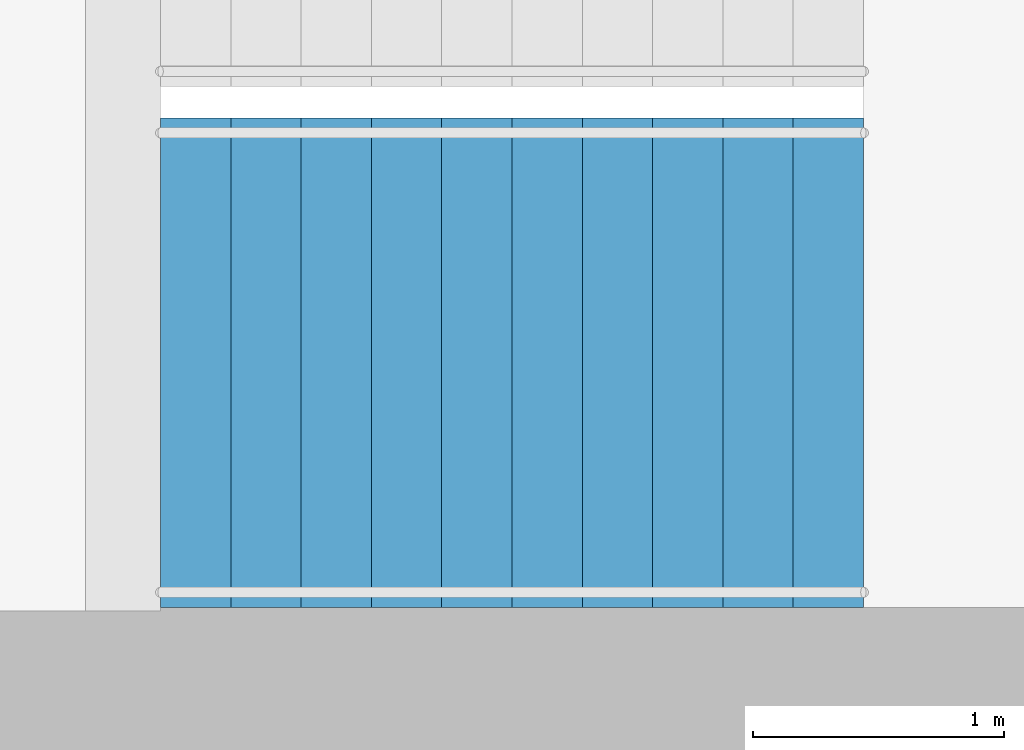
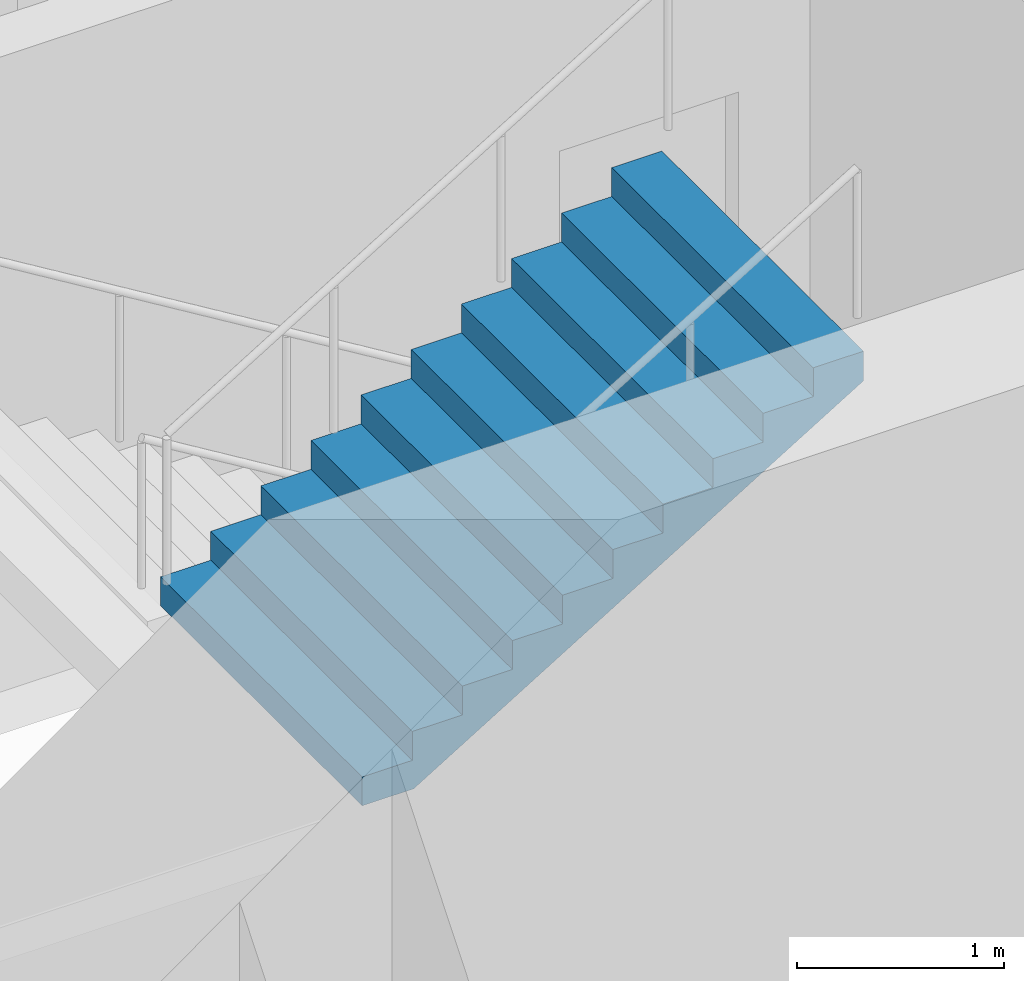
# One storey, part 20 of 22: 1 stair flight, 1 element without a shape of its own.
"""IFC4 building model written with IfcOpenShell, lengths in metres."""

import ifcopenshell
import ifcopenshell.guid

model = None  # the IFC model being written
_history = None  # IfcOwnerHistory: only IFC2X3 demands one
_inside = {}  # id of a spatial element -> (the spatial element, [elements in it])
_under = {}  # id of a project, library or spatial element -> (it, [spatial elements below it])
_declared = {}  # id of a project -> (the project, [libraries it declares])
_typed = {}  # id of a type object -> (the type object, [elements of that type])
_made_of = {}  # id of a material, layer set ... -> (it, [elements and type objects made of it])


def new_model(schema):
    """Start an empty IFC model of exactly this schema.

    Asked for "IFC4X3", IfcOpenShell would pick the latest addendum, in which some entities
    have other attributes; the version numbers below select the first issue.
    IFC2X3 requires an IfcOwnerHistory on every rooted entity: one is made here for all.
    """
    global model, _history
    if schema == "IFC4X3":
        model = ifcopenshell.file(schema_version=(4, 3, 0, 0))
    else:
        model = ifcopenshell.file(schema=schema)
    _inside.clear()
    _under.clear()
    _declared.clear()
    _typed.clear()
    _made_of.clear()
    _history = None
    if model.schema == "IFC2X3":
        org = make("IfcOrganization", Name="unknown")
        user = make(
            "IfcPersonAndOrganization",
            ThePerson=make("IfcPerson", FamilyName="unknown"),
            TheOrganization=org,
        )
        app = make(
            "IfcApplication",
            ApplicationDeveloper=org,
            Version="unknown",
            ApplicationFullName="unknown",
            ApplicationIdentifier="unknown",
        )
        _history = make(
            "IfcOwnerHistory",
            OwningUser=user,
            OwningApplication=app,
            ChangeAction="ADDED",
            CreationDate=0,
        )
    return model


def make(cls, **values):
    """One entity of the class cls with the attributes given. An attribute that is None is left unset."""
    return model.create_entity(
        cls, **{name: value for name, value in values.items() if value is not None}
    )


def rooted(cls, **values):
    """An entity with a GlobalId (a new one), such as an element, a storey or a relation."""
    return make(cls, GlobalId=ifcopenshell.guid.new(), OwnerHistory=_history, **values)


def si_unit(unit_type, name, prefix=None):
    """IfcSIUnit, for example si_unit("LENGTHUNIT", "METRE", prefix="MILLI")."""
    return make("IfcSIUnit", UnitType=unit_type, Prefix=prefix, Name=name)


def assignment(units):
    """IfcUnitAssignment: the units of a project."""
    return None if units is None else make("IfcUnitAssignment", Units=units)


def point(xyz):
    """IfcCartesianPoint."""
    return None if xyz is None else make("IfcCartesianPoint", Coordinates=xyz)


def direction(xyz):
    """IfcDirection."""
    return None if xyz is None else make("IfcDirection", DirectionRatios=xyz)


def frame(location, z_axis=None, x_axis=None):
    """IfcAxis2Placement3D, a coordinate frame: its origin and axes. An axis left out is left unset."""
    return make(
        "IfcAxis2Placement3D",
        Location=point(location),
        Axis=direction(z_axis),
        RefDirection=direction(x_axis),
    )


def origin():
    """The frame at (0, 0, 0) with its axes left unset."""
    return frame((0.0, 0.0, 0.0))


def place(relative_to, where):
    """IfcLocalPlacement: puts the frame where relative to a parent placement (None: the world)."""
    return make(
        "IfcLocalPlacement", PlacementRelTo=relative_to, RelativePlacement=where
    )


def context(
    kind, dimensions, precision=None, world=None, true_north=None, identifier=None
):
    """IfcGeometricRepresentationContext, for example the 3D "Model" context."""
    return make(
        "IfcGeometricRepresentationContext",
        ContextIdentifier=identifier,
        ContextType=kind,
        CoordinateSpaceDimension=dimensions,
        Precision=precision,
        WorldCoordinateSystem=world,
        TrueNorth=true_north,
    )


def subcontext(parent, identifier, kind, view, scale=None):
    """IfcGeometricRepresentationSubContext, for example "Body" below "Model"."""
    return make(
        "IfcGeometricRepresentationSubContext",
        ContextIdentifier=identifier,
        ContextType=kind,
        ParentContext=parent,
        TargetScale=scale,
        TargetView=view,
    )


def project(units=None, contexts=None):
    """IfcProject with its units and contexts."""
    return rooted(
        "IfcProject",
        Name="project",
        RepresentationContexts=contexts,
        UnitsInContext=assignment(units),
    )


def spatial(cls, under=None, at=None, **own):
    """A site, building, storey or space (cls), placed at a placement, below another one or the project."""
    s = rooted(cls, ObjectPlacement=at, **own)
    if under is not None:
        _under.setdefault(under.id(), (under, []))[1].append(s)
    return s


def point_list(points):
    """IfcCartesianPointList2D or 3D."""
    cls = (
        "IfcCartesianPointList2D" if len(points[0]) == 2 else "IfcCartesianPointList3D"
    )
    return make(cls, CoordList=points)


def triangles(points, corners, closed=None, point_numbers=None):
    """IfcTriangulatedFaceSet: each triangle names its three corners, points numbered from 1."""
    return make(
        "IfcTriangulatedFaceSet",
        Coordinates=point_list(points),
        Closed=closed,
        CoordIndex=corners,
        PnIndex=point_numbers,
    )


def shape(context_of_items, identifier, shape_type, items):
    """IfcShapeRepresentation: the items that make up one representation, for example the "Body"."""
    return make(
        "IfcShapeRepresentation",
        ContextOfItems=context_of_items,
        RepresentationIdentifier=identifier,
        RepresentationType=shape_type,
        Items=items,
    )


def material(Name=None, Category=None):
    """IfcMaterial."""
    return make("IfcMaterial", Name=Name, Category=Category)


def made_of(thing, what):
    """Note that an element or type object is made of a material, layer set ...; save() writes the relation."""
    if what is not None:
        _made_of.setdefault(what.id(), (what, []))[1].append(thing)
    return thing


def type_object(cls, material=None, **own):
    """A type object (cls), such as IfcWallType, which elements share."""
    return made_of(rooted(cls, **own), material)


def element(
    cls,
    number,
    at=None,
    inside=None,
    cuts=None,
    type_object=None,
    material=None,
    context=None,
    identifier="Body",
    shape_type=None,
    held_by="IfcProductDefinitionShape",
    body=None,
    shapes=None,
    **own,
):
    """One element of the class cls, such as IfcWall. Its Tag is "e" and its number.

    at: its placement. inside: the storey or other place that contains it. cuts: it is an
    opening in that element (IfcRelVoidsElement). A single representation is given by context,
    identifier, shape_type and body (its items); several are given by shapes. held_by: the class
    of the entity that holds the representations. save() writes the other relations.
    """
    e = rooted(cls, Tag="e%d" % number, ObjectPlacement=at, **own)
    if body is not None:
        shapes = [shape(context, identifier, shape_type, body)]
    if shapes is not None:
        e.Representation = make(held_by, Representations=shapes)
    if inside is not None:
        _inside.setdefault(inside.id(), (inside, []))[1].append(e)
    if cuts is not None:
        rooted(
            "IfcRelVoidsElement", RelatingBuildingElement=cuts, RelatedOpeningElement=e
        )
    if type_object is not None:
        _typed.setdefault(type_object.id(), (type_object, []))[1].append(e)
    return made_of(e, material)


def aggregate(whole, parts):
    """IfcRelAggregates: a whole, such as a stair, and the parts it consists of."""
    return rooted("IfcRelAggregates", RelatingObject=whole, RelatedObjects=parts)


def save(model, path):
    """Write the relations noted so far, then the file.

    IfcRelAggregates (storeys below a building ...), IfcRelContainedInSpatialStructure (elements
    in a storey), IfcRelDefinesByType, IfcRelAssociatesMaterial and IfcRelDeclares: one each for
    every whole, place, type object, material and project.
    """
    for whole, parts in _under.values():
        aggregate(whole, parts)
    for where, things in _inside.values():
        rooted(
            "IfcRelContainedInSpatialStructure",
            RelatedElements=things,
            RelatingStructure=where,
        )
    for kind, things in _typed.values():
        rooted("IfcRelDefinesByType", RelatedObjects=things, RelatingType=kind)
    for what, things in _made_of.values():
        rooted("IfcRelAssociatesMaterial", RelatedObjects=things, RelatingMaterial=what)
    for by, libraries in _declared.values():
        rooted("IfcRelDeclares", RelatingContext=by, RelatedDefinitions=libraries)
    model.write(path)


model = new_model("IFC4")

# Units and contexts
model_context = context("Model", 3, precision=1e-05, world=origin(), true_north=direction((0.0, 1.0)))
body_context = subcontext(model_context, "Body", "Model", "MODEL_VIEW")
ifc_project = project(units=[si_unit("LENGTHUNIT", "METRE"), si_unit("AREAUNIT", "SQUARE_METRE"), si_unit("VOLUMEUNIT", "CUBIC_METRE"), si_unit("PLANEANGLEUNIT", "RADIAN"), si_unit("MASSUNIT", "GRAM", prefix="KILO")], contexts=[model_context])

# Site, building, storey
site_placement = place(None, origin())
site = spatial("IfcSite", under=ifc_project, at=site_placement, CompositionType="ELEMENT")
building_placement = place(site_placement, origin())
building = spatial("IfcBuilding", under=site, at=building_placement, Name="Orbita Commons", CompositionType="ELEMENT")
storey_placement = place(building_placement, frame((0.0, 0.0, 144.85009765625)))
storey = spatial("IfcBuildingStorey", under=building, at=storey_placement, Name="L35", CompositionType="ELEMENT", Elevation=144.85009765625)

# Stair, stair flight
ifc_material_1 = material(Name="Precast concrete C40/50", Category="concrete")
stair_type = type_object("IfcStairType", Name="Exit stair S2 2 flights 11 risers 170", PredefinedType="HALF_TURN_STAIR", material=ifc_material_1)
stair_placement = place(storey_placement, origin())
stair = element("IfcStair", 1, at=stair_placement, inside=storey, type_object=stair_type, Name="Exit stair S2 L35", PredefinedType="HALF_TURN_STAIR")
ifc_material_2 = material(Name="Precast concrete C40/50", Category="concrete")
stair_flight_type = type_object("IfcStairFlightType", Name="Stair flight 11 risers 170 x 280", PredefinedType="STRAIGHT", material=ifc_material_2)
stair_flight_placement = place(storey_placement, frame((60.75, 27.199951171875, 1.875), z_axis=(0.0, 0.0, 1.0), x_axis=(1.0, 0.0, 0.0)))
stair_flight = element("IfcStairFlight", 2, at=stair_flight_placement, type_object=stair_flight_type, Name="S2 flight 2", NumberOfRisers=11, NumberOfTreads=10, PredefinedType="STRAIGHT", RiserHeight=0.170454545, TreadLength=0.28, context=body_context, shape_type="Tessellation", body=[
    triangles([(0.0, 0.974976, 0.0), (0.0, 0.974976, 0.021307), (0.0, 0.81248, 0.021307), (0.0, 0.81248, 0.0), (0.0, 0.649984, 0.021307), (0.0, 0.649984, 0.0), (0.0, 0.487488, 0.021307), (0.0, 0.487488, 0.0), (0.0, 0.324992, 0.021307), (0.0, 0.324992, 0.0), (0.0, 0.162496, 0.021307), (0.0, 0.162496, 0.0), (0.0, 0.0, 0.021307), (0.0, 0.0, 0.0), (0.0, -0.162496, 0.021307), (0.0, -0.162496, 0.0), (0.0, -0.324992, 0.021307), (0.0, -0.324992, 0.0), (0.0, -0.487488, 0.021307), (0.0, -0.487488, 0.0), (0.0, -0.649984, 0.021307), (0.0, -0.649984, 0.0), (0.0, -0.81248, 0.021307), (0.0, -0.81248, 0.0), (0.0, -0.974976, 0.021307), (0.0, -0.974976, 0.0), (0.0, 0.974976, 0.042614), (0.0, 0.81248, 0.042614), (0.0, 0.649984, 0.042614), (0.0, 0.487488, 0.042614), (0.0, 0.324992, 0.042614), (0.0, 0.162496, 0.042614), (0.0, 0.0, 0.042614), (0.0, -0.162496, 0.042614), (0.0, -0.324992, 0.042614), (0.0, -0.487488, 0.042614), (0.0, -0.649984, 0.042614), (0.0, -0.81248, 0.042614), (0.0, -0.974976, 0.042614), (0.0, 0.974976, 0.06392), (0.0, 0.81248, 0.06392), (0.0, 0.649984, 0.06392), (0.0, 0.487488, 0.06392), (0.0, 0.324992, 0.06392), (0.0, 0.162496, 0.06392), (0.0, 0.0, 0.06392), (0.0, -0.162496, 0.06392), (0.0, -0.324992, 0.06392), (0.0, -0.487488, 0.06392), (0.0, -0.649984, 0.06392), (0.0, -0.81248, 0.06392), (0.0, -0.974976, 0.06392), (0.0, 0.974976, 0.085227), (0.0, 0.81248, 0.085227), (0.0, 0.649984, 0.085227), (0.0, 0.487488, 0.085227), (0.0, 0.324992, 0.085227), (0.0, 0.162496, 0.085227), (0.0, 0.0, 0.085227), (0.0, -0.162496, 0.085227), (0.0, -0.324992, 0.085227), (0.0, -0.487488, 0.085227), (0.0, -0.649984, 0.085227), (0.0, -0.81248, 0.085227), (0.0, -0.974976, 0.085227), (0.0, 0.974976, 0.106534), (0.0, 0.81248, 0.106534), (0.0, 0.649984, 0.106534), (0.0, 0.487488, 0.106534), (0.0, 0.324992, 0.106534), (0.0, 0.162496, 0.106534), (0.0, 0.0, 0.106534), (0.0, -0.162496, 0.106534), (0.0, -0.324992, 0.106534), (0.0, -0.487488, 0.106534), (0.0, -0.649984, 0.106534), (0.0, -0.81248, 0.106534), (0.0, -0.974976, 0.106534), (0.0, 0.974976, 0.127841), (0.0, 0.81248, 0.127841), (0.0, 0.649984, 0.127841), (0.0, 0.487488, 0.127841), (0.0, 0.324992, 0.127841), (0.0, 0.162496, 0.127841), (0.0, 0.0, 0.127841), (0.0, -0.162496, 0.127841), (0.0, -0.324992, 0.127841), (0.0, -0.487488, 0.127841), (0.0, -0.649984, 0.127841), (0.0, -0.81248, 0.127841), (0.0, -0.974976, 0.127841), (0.0, 0.974976, 0.149148), (0.0, 0.81248, 0.149148), (0.0, 0.649984, 0.149148), (0.0, 0.487488, 0.149148), (0.0, 0.324992, 0.149148), (0.0, 0.162496, 0.149148), (0.0, 0.0, 0.149148), (0.0, -0.162496, 0.149148), (0.0, -0.324992, 0.149148), (0.0, -0.487488, 0.149148), (0.0, -0.649984, 0.149148), (0.0, -0.81248, 0.149148), (0.0, -0.974976, 0.149148), (0.0, 0.974976, 0.170455), (0.0, 0.81248, 0.170455), (0.0, 0.649984, 0.170455), (0.0, 0.487488, 0.170455), (0.0, 0.324992, 0.170455), (0.0, 0.162496, 0.170455), (0.0, 0.0, 0.170455), (0.0, -0.162496, 0.170455), (0.0, -0.324992, 0.170455), (0.0, -0.487488, 0.170455), (0.0, -0.649984, 0.170455), (0.0, -0.81248, 0.170455), (0.0, -0.974976, 0.170455), (0.28, 0.974976, 0.170455), (0.28, 0.81248, 0.170455), (0.28, 0.649984, 0.170455), (0.28, 0.487488, 0.170455), (0.28, 0.324992, 0.170455), (0.28, 0.162496, 0.170455), (0.28, 0.0, 0.170455), (0.28, -0.162496, 0.170455), (0.28, -0.324992, 0.170455), (0.28, -0.487488, 0.170455), (0.28, -0.649984, 0.170455), (0.28, -0.81248, 0.170455), (0.28, -0.974976, 0.170455), (0.28, 0.974976, 0.340909), (0.28, 0.81248, 0.340909), (0.28, 0.649984, 0.340909), (0.28, 0.487488, 0.340909), (0.28, 0.324992, 0.340909), (0.28, 0.162496, 0.340909), (0.28, 0.0, 0.340909), (0.28, -0.162496, 0.340909), (0.28, -0.324992, 0.340909), (0.28, -0.487488, 0.340909), (0.28, -0.649984, 0.340909), (0.28, -0.81248, 0.340909), (0.28, -0.974976, 0.340909), (0.56, 0.974976, 0.340909), (0.56, 0.81248, 0.340909), (0.56, 0.649984, 0.340909), (0.56, 0.487488, 0.340909), (0.56, 0.324992, 0.340909), (0.56, 0.162496, 0.340909), (0.56, 0.0, 0.340909), (0.56, -0.162496, 0.340909), (0.56, -0.324992, 0.340909), (0.56, -0.487488, 0.340909), (0.56, -0.649984, 0.340909), (0.56, -0.81248, 0.340909), (0.56, -0.974976, 0.340909), (0.56, 0.974976, 0.511364), (0.56, 0.81248, 0.511364), (0.56, 0.649984, 0.511364), (0.56, 0.487488, 0.511364), (0.56, 0.324992, 0.511364), (0.56, 0.162496, 0.511364), (0.56, 0.0, 0.511364), (0.56, -0.162496, 0.511364), (0.56, -0.324992, 0.511364), (0.56, -0.487488, 0.511364), (0.56, -0.649984, 0.511364), (0.56, -0.81248, 0.511364), (0.56, -0.974976, 0.511364), (0.84, 0.974976, 0.511364), (0.84, 0.81248, 0.511364), (0.84, 0.649984, 0.511364), (0.84, 0.487488, 0.511364), (0.84, 0.324992, 0.511364), (0.84, 0.162496, 0.511364), (0.84, 0.0, 0.511364), (0.84, -0.162496, 0.511364), (0.84, -0.324992, 0.511364), (0.84, -0.487488, 0.511364), (0.84, -0.649984, 0.511364), (0.84, -0.81248, 0.511364), (0.84, -0.974976, 0.511364), (0.84, 0.974976, 0.681818), (0.84, 0.81248, 0.681818), (0.84, 0.649984, 0.681818), (0.84, 0.487488, 0.681818), (0.84, 0.324992, 0.681818), (0.84, 0.162496, 0.681818), (0.84, 0.0, 0.681818), (0.84, -0.162496, 0.681818), (0.84, -0.324992, 0.681818), (0.84, -0.487488, 0.681818), (0.84, -0.649984, 0.681818), (0.84, -0.81248, 0.681818), (0.84, -0.974976, 0.681818), (1.12, 0.974976, 0.681818), (1.12, 0.81248, 0.681818), (1.12, 0.649984, 0.681818), (1.12, 0.487488, 0.681818), (1.12, 0.324992, 0.681818), (1.12, 0.162496, 0.681818), (1.12, 0.0, 0.681818), (1.12, -0.162496, 0.681818), (1.12, -0.324992, 0.681818), (1.12, -0.487488, 0.681818), (1.12, -0.649984, 0.681818), (1.12, -0.81248, 0.681818), (1.12, -0.974976, 0.681818), (1.12, 0.974976, 0.852273), (1.12, 0.81248, 0.852273), (1.12, 0.649984, 0.852273), (1.12, 0.487488, 0.852273), (1.12, 0.324992, 0.852273), (1.12, 0.162496, 0.852273), (1.12, 0.0, 0.852273), (1.12, -0.162496, 0.852273), (1.12, -0.324992, 0.852273), (1.12, -0.487488, 0.852273), (1.12, -0.649984, 0.852273), (1.12, -0.81248, 0.852273), (1.12, -0.974976, 0.852273), (1.4, 0.974976, 0.852273), (1.4, 0.81248, 0.852273), (1.4, 0.649984, 0.852273), (1.4, 0.487488, 0.852273), (1.4, 0.324992, 0.852273), (1.4, 0.162496, 0.852273), (1.4, 0.0, 0.852273), (1.4, -0.162496, 0.852273), (1.4, -0.324992, 0.852273), (1.4, -0.487488, 0.852273), (1.4, -0.649984, 0.852273), (1.4, -0.81248, 0.852273), (1.4, -0.974976, 0.852273), (1.4, 0.974976, 1.022727), (1.4, 0.81248, 1.022727), (1.4, 0.649984, 1.022727), (1.4, 0.487488, 1.022727), (1.4, 0.324992, 1.022727), (1.4, 0.162496, 1.022727), (1.4, 0.0, 1.022727), (1.4, -0.162496, 1.022727), (1.4, -0.324992, 1.022727), (1.4, -0.487488, 1.022727), (1.4, -0.649984, 1.022727), (1.4, -0.81248, 1.022727), (1.4, -0.974976, 1.022727), (1.68, 0.974976, 1.022727), (1.68, 0.81248, 1.022727), (1.68, 0.649984, 1.022727), (1.68, 0.487488, 1.022727), (1.68, 0.324992, 1.022727), (1.68, 0.162496, 1.022727), (1.68, 0.0, 1.022727), (1.68, -0.162496, 1.022727), (1.68, -0.324992, 1.022727), (1.68, -0.487488, 1.022727), (1.68, -0.649984, 1.022727), (1.68, -0.81248, 1.022727), (1.68, -0.974976, 1.022727), (1.68, 0.974976, 1.193182), (1.68, 0.81248, 1.193182), (1.68, 0.649984, 1.193182), (1.68, 0.487488, 1.193182), (1.68, 0.324992, 1.193182), (1.68, 0.162496, 1.193182), (1.68, 0.0, 1.193182), (1.68, -0.162496, 1.193182), (1.68, -0.324992, 1.193182), (1.68, -0.487488, 1.193182), (1.68, -0.649984, 1.193182), (1.68, -0.81248, 1.193182), (1.68, -0.974976, 1.193182), (1.96, 0.974976, 1.193182), (1.96, 0.81248, 1.193182), (1.96, 0.649984, 1.193182), (1.96, 0.487488, 1.193182), (1.96, 0.324992, 1.193182), (1.96, 0.162496, 1.193182), (1.96, 0.0, 1.193182), (1.96, -0.162496, 1.193182), (1.96, -0.324992, 1.193182), (1.96, -0.487488, 1.193182), (1.96, -0.649984, 1.193182), (1.96, -0.81248, 1.193182), (1.96, -0.974976, 1.193182), (1.96, 0.974976, 1.363636), (1.96, 0.81248, 1.363636), (1.96, 0.649984, 1.363636), (1.96, 0.487488, 1.363636), (1.96, 0.324992, 1.363636), (1.96, 0.162496, 1.363636), (1.96, 0.0, 1.363636), (1.96, -0.162496, 1.363636), (1.96, -0.324992, 1.363636), (1.96, -0.487488, 1.363636), (1.96, -0.649984, 1.363636), (1.96, -0.81248, 1.363636), (1.96, -0.974976, 1.363636), (2.24, 0.974976, 1.363636), (2.24, 0.81248, 1.363636), (2.24, 0.649984, 1.363636), (2.24, 0.487488, 1.363636), (2.24, 0.324992, 1.363636), (2.24, 0.162496, 1.363636), (2.24, 0.0, 1.363636), (2.24, -0.162496, 1.363636), (2.24, -0.324992, 1.363636), (2.24, -0.487488, 1.363636), (2.24, -0.649984, 1.363636), (2.24, -0.81248, 1.363636), (2.24, -0.974976, 1.363636), (2.24, 0.974976, 1.534091), (2.24, 0.81248, 1.534091), (2.24, 0.649984, 1.534091), (2.24, 0.487488, 1.534091), (2.24, 0.324992, 1.534091), (2.24, 0.162496, 1.534091), (2.24, 0.0, 1.534091), (2.24, -0.162496, 1.534091), (2.24, -0.324992, 1.534091), (2.24, -0.487488, 1.534091), (2.24, -0.649984, 1.534091), (2.24, -0.81248, 1.534091), (2.24, -0.974976, 1.534091), (2.52, 0.974976, 1.534091), (2.52, 0.81248, 1.534091), (2.52, 0.649984, 1.534091), (2.52, 0.487488, 1.534091), (2.52, 0.324992, 1.534091), (2.52, 0.162496, 1.534091), (2.52, 0.0, 1.534091), (2.52, -0.162496, 1.534091), (2.52, -0.324992, 1.534091), (2.52, -0.487488, 1.534091), (2.52, -0.649984, 1.534091), (2.52, -0.81248, 1.534091), (2.52, -0.974976, 1.534091), (2.52, 0.974976, 1.704545), (2.52, 0.81248, 1.704545), (2.52, 0.649984, 1.704545), (2.52, 0.487488, 1.704545), (2.52, 0.324992, 1.704545), (2.52, 0.162496, 1.704545), (2.52, 0.0, 1.704545), (2.52, -0.162496, 1.704545), (2.52, -0.324992, 1.704545), (2.52, -0.487488, 1.704545), (2.52, -0.649984, 1.704545), (2.52, -0.81248, 1.704545), (2.52, -0.974976, 1.704545), (2.8, 0.974976, 1.704545), (2.8, 0.81248, 1.704545), (2.8, 0.649984, 1.704545), (2.8, 0.487488, 1.704545), (2.8, 0.324992, 1.704545), (2.8, 0.162496, 1.704545), (2.8, 0.0, 1.704545), (2.8, -0.162496, 1.704545), (2.8, -0.324992, 1.704545), (2.8, -0.487488, 1.704545), (2.8, -0.649984, 1.704545), (2.8, -0.81248, 1.704545), (2.8, -0.974976, 1.704545), (2.8, 0.974976, 1.682609), (2.8, 0.81248, 1.682609), (2.8, 0.649984, 1.682609), (2.8, 0.487488, 1.682609), (2.8, 0.324992, 1.682609), (2.8, 0.162496, 1.682609), (2.8, 0.0, 1.682609), (2.8, -0.162496, 1.682609), (2.8, -0.324992, 1.682609), (2.8, -0.487488, 1.682609), (2.8, -0.649984, 1.682609), (2.8, -0.81248, 1.682609), (2.8, -0.974976, 1.682609), (2.8, 0.974976, 1.660672), (2.8, 0.81248, 1.660672), (2.8, 0.649984, 1.660672), (2.8, 0.487488, 1.660672), (2.8, 0.324992, 1.660672), (2.8, 0.162496, 1.660672), (2.8, 0.0, 1.660672), (2.8, -0.162496, 1.660672), (2.8, -0.324992, 1.660672), (2.8, -0.487488, 1.660672), (2.8, -0.649984, 1.660672), (2.8, -0.81248, 1.660672), (2.8, -0.974976, 1.660672), (2.8, 0.974976, 1.638735), (2.8, 0.81248, 1.638735), (2.8, 0.649984, 1.638735), (2.8, 0.487488, 1.638735), (2.8, 0.324992, 1.638735), (2.8, 0.162496, 1.638735), (2.8, 0.0, 1.638735), (2.8, -0.162496, 1.638735), (2.8, -0.324992, 1.638735), (2.8, -0.487488, 1.638735), (2.8, -0.649984, 1.638735), (2.8, -0.81248, 1.638735), (2.8, -0.974976, 1.638735), (2.8, 0.974976, 1.616798), (2.8, 0.81248, 1.616798), (2.8, 0.649984, 1.616798), (2.8, 0.487488, 1.616798), (2.8, 0.324992, 1.616798), (2.8, 0.162496, 1.616798), (2.8, 0.0, 1.616798), (2.8, -0.162496, 1.616798), (2.8, -0.324992, 1.616798), (2.8, -0.487488, 1.616798), (2.8, -0.649984, 1.616798), (2.8, -0.81248, 1.616798), (2.8, -0.974976, 1.616798), (2.8, 0.974976, 1.594861), (2.8, 0.81248, 1.594861), (2.8, 0.649984, 1.594861), (2.8, 0.487488, 1.594861), (2.8, 0.324992, 1.594861), (2.8, 0.162496, 1.594861), (2.8, 0.0, 1.594861), (2.8, -0.162496, 1.594861), (2.8, -0.324992, 1.594861), (2.8, -0.487488, 1.594861), (2.8, -0.649984, 1.594861), (2.8, -0.81248, 1.594861), (2.8, -0.974976, 1.594861), (2.8, 0.974976, 1.572925), (2.8, 0.81248, 1.572925), (2.8, 0.649984, 1.572925), (2.8, 0.487488, 1.572925), (2.8, 0.324992, 1.572925), (2.8, 0.162496, 1.572925), (2.8, 0.0, 1.572925), (2.8, -0.162496, 1.572925), (2.8, -0.324992, 1.572925), (2.8, -0.487488, 1.572925), (2.8, -0.649984, 1.572925), (2.8, -0.81248, 1.572925), (2.8, -0.974976, 1.572925), (2.8, 0.974976, 1.550988), (2.8, 0.81248, 1.550988), (2.8, 0.649984, 1.550988), (2.8, 0.487488, 1.550988), (2.8, 0.324992, 1.550988), (2.8, 0.162496, 1.550988), (2.8, 0.0, 1.550988), (2.8, -0.162496, 1.550988), (2.8, -0.324992, 1.550988), (2.8, -0.487488, 1.550988), (2.8, -0.649984, 1.550988), (2.8, -0.81248, 1.550988), (2.8, -0.974976, 1.550988), (2.8, 0.974976, 1.529051), (2.8, 0.81248, 1.529051), (2.8, 0.649984, 1.529051), (2.8, 0.487488, 1.529051), (2.8, 0.324992, 1.529051), (2.8, 0.162496, 1.529051), (2.8, 0.0, 1.529051), (2.8, -0.162496, 1.529051), (2.8, -0.324992, 1.529051), (2.8, -0.487488, 1.529051), (2.8, -0.649984, 1.529051), (2.8, -0.81248, 1.529051), (2.8, -0.974976, 1.529051), (0.288279, 0.974976, 0.0), (0.288279, 0.81248, 0.0), (0.288279, 0.649984, 0.0), (0.288279, 0.487488, 0.0), (0.288279, 0.324992, 0.0), (0.288279, 0.162496, 0.0), (0.288279, 0.0, 0.0), (0.288279, -0.162496, 0.0), (0.288279, -0.324992, 0.0), (0.288279, -0.487488, 0.0), (0.288279, -0.649984, 0.0), (0.288279, -0.81248, 0.0), (0.288279, -0.974976, 0.0)], [[3, 2, 1], [4, 3, 1], [5, 3, 4], [6, 5, 4], [7, 5, 6], [8, 7, 6], [9, 7, 8], [10, 9, 8], [11, 9, 10], [12, 11, 10], [13, 11, 12], [14, 13, 12], [15, 13, 14], [16, 15, 14], [17, 15, 16], [18, 17, 16], [19, 17, 18], [20, 19, 18], [21, 19, 20], [22, 21, 20], [23, 21, 22], [24, 23, 22], [25, 23, 24], [26, 25, 24], [28, 27, 2], [3, 28, 2], [29, 28, 3], [5, 29, 3], [30, 29, 5], [7, 30, 5], [31, 30, 7], [9, 31, 7], [32, 31, 9], [11, 32, 9], [33, 32, 11], [13, 33, 11], [34, 33, 13], [15, 34, 13], [35, 34, 15], [17, 35, 15], [36, 35, 17], [19, 36, 17], [37, 36, 19], [21, 37, 19], [38, 37, 21], [23, 38, 21], [39, 38, 23], [25, 39, 23], [41, 40, 27], [28, 41, 27], [42, 41, 28], [29, 42, 28], [43, 42, 29], [30, 43, 29], [44, 43, 30], [31, 44, 30], [45, 44, 31], [32, 45, 31], [46, 45, 32], [33, 46, 32], [47, 46, 33], [34, 47, 33], [48, 47, 34], [35, 48, 34], [49, 48, 35], [36, 49, 35], [50, 49, 36], [37, 50, 36], [51, 50, 37], [38, 51, 37], [52, 51, 38], [39, 52, 38], [54, 53, 40], [41, 54, 40], [55, 54, 41], [42, 55, 41], [56, 55, 42], [43, 56, 42], [57, 56, 43], [44, 57, 43], [58, 57, 44], [45, 58, 44], [59, 58, 45], [46, 59, 45], [60, 59, 46], [47, 60, 46], [61, 60, 47], [48, 61, 47], [62, 61, 48], [49, 62, 48], [63, 62, 49], [50, 63, 49], [64, 63, 50], [51, 64, 50], [65, 64, 51], [52, 65, 51], [67, 66, 53], [54, 67, 53], [68, 67, 54], [55, 68, 54], [69, 68, 55], [56, 69, 55], [70, 69, 56], [57, 70, 56], [71, 70, 57], [58, 71, 57], [72, 71, 58], [59, 72, 58], [73, 72, 59], [60, 73, 59], [74, 73, 60], [61, 74, 60], [75, 74, 61], [62, 75, 61], [76, 75, 62], [63, 76, 62], [77, 76, 63], [64, 77, 63], [78, 77, 64], [65, 78, 64], [80, 79, 66], [67, 80, 66], [81, 80, 67], [68, 81, 67], [82, 81, 68], [69, 82, 68], [83, 82, 69], [70, 83, 69], [84, 83, 70], [71, 84, 70], [85, 84, 71], [72, 85, 71], [86, 85, 72], [73, 86, 72], [87, 86, 73], [74, 87, 73], [88, 87, 74], [75, 88, 74], [89, 88, 75], [76, 89, 75], [90, 89, 76], [77, 90, 76], [91, 90, 77], [78, 91, 77], [93, 92, 79], [80, 93, 79], [94, 93, 80], [81, 94, 80], [95, 94, 81], [82, 95, 81], [96, 95, 82], [83, 96, 82], [97, 96, 83], [84, 97, 83], [98, 97, 84], [85, 98, 84], [99, 98, 85], [86, 99, 85], [100, 99, 86], [87, 100, 86], [101, 100, 87], [88, 101, 87], [102, 101, 88], [89, 102, 88], [103, 102, 89], [90, 103, 89], [104, 103, 90], [91, 104, 90], [106, 105, 92], [93, 106, 92], [107, 106, 93], [94, 107, 93], [108, 107, 94], [95, 108, 94], [109, 108, 95], [96, 109, 95], [110, 109, 96], [97, 110, 96], [111, 110, 97], [98, 111, 97], [112, 111, 98], [99, 112, 98], [113, 112, 99], [100, 113, 99], [114, 113, 100], [101, 114, 100], [115, 114, 101], [102, 115, 101], [116, 115, 102], [103, 116, 102], [117, 116, 103], [104, 117, 103], [119, 118, 105], [106, 119, 105], [120, 119, 106], [107, 120, 106], [121, 120, 107], [108, 121, 107], [122, 121, 108], [109, 122, 108], [123, 122, 109], [110, 123, 109], [124, 123, 110], [111, 124, 110], [125, 124, 111], [112, 125, 111], [126, 125, 112], [113, 126, 112], [127, 126, 113], [114, 127, 113], [128, 127, 114], [115, 128, 114], [129, 128, 115], [116, 129, 115], [130, 129, 116], [117, 130, 116], [132, 131, 118], [119, 132, 118], [133, 132, 119], [120, 133, 119], [134, 133, 120], [121, 134, 120], [135, 134, 121], [122, 135, 121], [136, 135, 122], [123, 136, 122], [137, 136, 123], [124, 137, 123], [138, 137, 124], [125, 138, 124], [139, 138, 125], [126, 139, 125], [140, 139, 126], [127, 140, 126], [141, 140, 127], [128, 141, 127], [142, 141, 128], [129, 142, 128], [143, 142, 129], [130, 143, 129], [145, 144, 131], [132, 145, 131], [146, 145, 132], [133, 146, 132], [147, 146, 133], [134, 147, 133], [148, 147, 134], [135, 148, 134], [149, 148, 135], [136, 149, 135], [150, 149, 136], [137, 150, 136], [151, 150, 137], [138, 151, 137], [152, 151, 138], [139, 152, 138], [153, 152, 139], [140, 153, 139], [154, 153, 140], [141, 154, 140], [155, 154, 141], [142, 155, 141], [156, 155, 142], [143, 156, 142], [158, 157, 144], [145, 158, 144], [159, 158, 145], [146, 159, 145], [160, 159, 146], [147, 160, 146], [161, 160, 147], [148, 161, 147], [162, 161, 148], [149, 162, 148], [163, 162, 149], [150, 163, 149], [164, 163, 150], [151, 164, 150], [165, 164, 151], [152, 165, 151], [166, 165, 152], [153, 166, 152], [167, 166, 153], [154, 167, 153], [168, 167, 154], [155, 168, 154], [169, 168, 155], [156, 169, 155], [171, 170, 157], [158, 171, 157], [172, 171, 158], [159, 172, 158], [173, 172, 159], [160, 173, 159], [174, 173, 160], [161, 174, 160], [175, 174, 161], [162, 175, 161], [176, 175, 162], [163, 176, 162], [177, 176, 163], [164, 177, 163], [178, 177, 164], [165, 178, 164], [179, 178, 165], [166, 179, 165], [180, 179, 166], [167, 180, 166], [181, 180, 167], [168, 181, 167], [182, 181, 168], [169, 182, 168], [184, 183, 170], [171, 184, 170], [185, 184, 171], [172, 185, 171], [186, 185, 172], [173, 186, 172], [187, 186, 173], [174, 187, 173], [188, 187, 174], [175, 188, 174], [189, 188, 175], [176, 189, 175], [190, 189, 176], [177, 190, 176], [191, 190, 177], [178, 191, 177], [192, 191, 178], [179, 192, 178], [193, 192, 179], [180, 193, 179], [194, 193, 180], [181, 194, 180], [195, 194, 181], [182, 195, 181], [197, 196, 183], [184, 197, 183], [198, 197, 184], [185, 198, 184], [199, 198, 185], [186, 199, 185], [200, 199, 186], [187, 200, 186], [201, 200, 187], [188, 201, 187], [202, 201, 188], [189, 202, 188], [203, 202, 189], [190, 203, 189], [204, 203, 190], [191, 204, 190], [205, 204, 191], [192, 205, 191], [206, 205, 192], [193, 206, 192], [207, 206, 193], [194, 207, 193], [208, 207, 194], [195, 208, 194], [210, 209, 196], [197, 210, 196], [211, 210, 197], [198, 211, 197], [212, 211, 198], [199, 212, 198], [213, 212, 199], [200, 213, 199], [214, 213, 200], [201, 214, 200], [215, 214, 201], [202, 215, 201], [216, 215, 202], [203, 216, 202], [217, 216, 203], [204, 217, 203], [218, 217, 204], [205, 218, 204], [219, 218, 205], [206, 219, 205], [220, 219, 206], [207, 220, 206], [221, 220, 207], [208, 221, 207], [223, 222, 209], [210, 223, 209], [224, 223, 210], [211, 224, 210], [225, 224, 211], [212, 225, 211], [226, 225, 212], [213, 226, 212], [227, 226, 213], [214, 227, 213], [228, 227, 214], [215, 228, 214], [229, 228, 215], [216, 229, 215], [230, 229, 216], [217, 230, 216], [231, 230, 217], [218, 231, 217], [232, 231, 218], [219, 232, 218], [233, 232, 219], [220, 233, 219], [234, 233, 220], [221, 234, 220], [236, 235, 222], [223, 236, 222], [237, 236, 223], [224, 237, 223], [238, 237, 224], [225, 238, 224], [239, 238, 225], [226, 239, 225], [240, 239, 226], [227, 240, 226], [241, 240, 227], [228, 241, 227], [242, 241, 228], [229, 242, 228], [243, 242, 229], [230, 243, 229], [244, 243, 230], [231, 244, 230], [245, 244, 231], [232, 245, 231], [246, 245, 232], [233, 246, 232], [247, 246, 233], [234, 247, 233], [249, 248, 235], [236, 249, 235], [250, 249, 236], [237, 250, 236], [251, 250, 237], [238, 251, 237], [252, 251, 238], [239, 252, 238], [253, 252, 239], [240, 253, 239], [254, 253, 240], [241, 254, 240], [255, 254, 241], [242, 255, 241], [256, 255, 242], [243, 256, 242], [257, 256, 243], [244, 257, 243], [258, 257, 244], [245, 258, 244], [259, 258, 245], [246, 259, 245], [260, 259, 246], [247, 260, 246], [262, 261, 248], [249, 262, 248], [263, 262, 249], [250, 263, 249], [264, 263, 250], [251, 264, 250], [265, 264, 251], [252, 265, 251], [266, 265, 252], [253, 266, 252], [267, 266, 253], [254, 267, 253], [268, 267, 254], [255, 268, 254], [269, 268, 255], [256, 269, 255], [270, 269, 256], [257, 270, 256], [271, 270, 257], [258, 271, 257], [272, 271, 258], [259, 272, 258], [273, 272, 259], [260, 273, 259], [275, 274, 261], [262, 275, 261], [276, 275, 262], [263, 276, 262], [277, 276, 263], [264, 277, 263], [278, 277, 264], [265, 278, 264], [279, 278, 265], [266, 279, 265], [280, 279, 266], [267, 280, 266], [281, 280, 267], [268, 281, 267], [282, 281, 268], [269, 282, 268], [283, 282, 269], [270, 283, 269], [284, 283, 270], [271, 284, 270], [285, 284, 271], [272, 285, 271], [286, 285, 272], [273, 286, 272], [288, 287, 274], [275, 288, 274], [289, 288, 275], [276, 289, 275], [290, 289, 276], [277, 290, 276], [291, 290, 277], [278, 291, 277], [292, 291, 278], [279, 292, 278], [293, 292, 279], [280, 293, 279], [294, 293, 280], [281, 294, 280], [295, 294, 281], [282, 295, 281], [296, 295, 282], [283, 296, 282], [297, 296, 283], [284, 297, 283], [298, 297, 284], [285, 298, 284], [299, 298, 285], [286, 299, 285], [301, 300, 287], [288, 301, 287], [302, 301, 288], [289, 302, 288], [303, 302, 289], [290, 303, 289], [304, 303, 290], [291, 304, 290], [305, 304, 291], [292, 305, 291], [306, 305, 292], [293, 306, 292], [307, 306, 293], [294, 307, 293], [308, 307, 294], [295, 308, 294], [309, 308, 295], [296, 309, 295], [310, 309, 296], [297, 310, 296], [311, 310, 297], [298, 311, 297], [312, 311, 298], [299, 312, 298], [314, 313, 300], [301, 314, 300], [315, 314, 301], [302, 315, 301], [316, 315, 302], [303, 316, 302], [317, 316, 303], [304, 317, 303], [318, 317, 304], [305, 318, 304], [319, 318, 305], [306, 319, 305], [320, 319, 306], [307, 320, 306], [321, 320, 307], [308, 321, 307], [322, 321, 308], [309, 322, 308], [323, 322, 309], [310, 323, 309], [324, 323, 310], [311, 324, 310], [325, 324, 311], [312, 325, 311], [327, 326, 313], [314, 327, 313], [328, 327, 314], [315, 328, 314], [329, 328, 315], [316, 329, 315], [330, 329, 316], [317, 330, 316], [331, 330, 317], [318, 331, 317], [332, 331, 318], [319, 332, 318], [333, 332, 319], [320, 333, 319], [334, 333, 320], [321, 334, 320], [335, 334, 321], [322, 335, 321], [336, 335, 322], [323, 336, 322], [337, 336, 323], [324, 337, 323], [338, 337, 324], [325, 338, 324], [340, 339, 326], [327, 340, 326], [341, 340, 327], [328, 341, 327], [342, 341, 328], [329, 342, 328], [343, 342, 329], [330, 343, 329], [344, 343, 330], [331, 344, 330], [345, 344, 331], [332, 345, 331], [346, 345, 332], [333, 346, 332], [347, 346, 333], [334, 347, 333], [348, 347, 334], [335, 348, 334], [349, 348, 335], [336, 349, 335], [350, 349, 336], [337, 350, 336], [351, 350, 337], [338, 351, 337], [353, 352, 339], [340, 353, 339], [354, 353, 340], [341, 354, 340], [355, 354, 341], [342, 355, 341], [356, 355, 342], [343, 356, 342], [357, 356, 343], [344, 357, 343], [358, 357, 344], [345, 358, 344], [359, 358, 345], [346, 359, 345], [360, 359, 346], [347, 360, 346], [361, 360, 347], [348, 361, 347], [362, 361, 348], [349, 362, 348], [363, 362, 349], [350, 363, 349], [364, 363, 350], [351, 364, 350], [366, 365, 352], [353, 366, 352], [367, 366, 353], [354, 367, 353], [368, 367, 354], [355, 368, 354], [369, 368, 355], [356, 369, 355], [370, 369, 356], [357, 370, 356], [371, 370, 357], [358, 371, 357], [372, 371, 358], [359, 372, 358], [373, 372, 359], [360, 373, 359], [374, 373, 360], [361, 374, 360], [375, 374, 361], [362, 375, 361], [376, 375, 362], [363, 376, 362], [377, 376, 363], [364, 377, 363], [379, 378, 365], [366, 379, 365], [380, 379, 366], [367, 380, 366], [381, 380, 367], [368, 381, 367], [382, 381, 368], [369, 382, 368], [383, 382, 369], [370, 383, 369], [384, 383, 370], [371, 384, 370], [385, 384, 371], [372, 385, 371], [386, 385, 372], [373, 386, 372], [387, 386, 373], [374, 387, 373], [388, 387, 374], [375, 388, 374], [389, 388, 375], [376, 389, 375], [390, 389, 376], [377, 390, 376], [392, 391, 378], [379, 392, 378], [393, 392, 379], [380, 393, 379], [394, 393, 380], [381, 394, 380], [395, 394, 381], [382, 395, 381], [396, 395, 382], [383, 396, 382], [397, 396, 383], [384, 397, 383], [398, 397, 384], [385, 398, 384], [399, 398, 385], [386, 399, 385], [400, 399, 386], [387, 400, 386], [401, 400, 387], [388, 401, 387], [402, 401, 388], [389, 402, 388], [403, 402, 389], [390, 403, 389], [405, 404, 391], [392, 405, 391], [406, 405, 392], [393, 406, 392], [407, 406, 393], [394, 407, 393], [408, 407, 394], [395, 408, 394], [409, 408, 395], [396, 409, 395], [410, 409, 396], [397, 410, 396], [411, 410, 397], [398, 411, 397], [412, 411, 398], [399, 412, 398], [413, 412, 399], [400, 413, 399], [414, 413, 400], [401, 414, 400], [415, 414, 401], [402, 415, 401], [416, 415, 402], [403, 416, 402], [418, 417, 404], [405, 418, 404], [419, 418, 405], [406, 419, 405], [420, 419, 406], [407, 420, 406], [421, 420, 407], [408, 421, 407], [422, 421, 408], [409, 422, 408], [423, 422, 409], [410, 423, 409], [424, 423, 410], [411, 424, 410], [425, 424, 411], [412, 425, 411], [426, 425, 412], [413, 426, 412], [427, 426, 413], [414, 427, 413], [428, 427, 414], [415, 428, 414], [429, 428, 415], [416, 429, 415], [431, 430, 417], [418, 431, 417], [432, 431, 418], [419, 432, 418], [433, 432, 419], [420, 433, 419], [434, 433, 420], [421, 434, 420], [435, 434, 421], [422, 435, 421], [436, 435, 422], [423, 436, 422], [437, 436, 423], [424, 437, 423], [438, 437, 424], [425, 438, 424], [439, 438, 425], [426, 439, 425], [440, 439, 426], [427, 440, 426], [441, 440, 427], [428, 441, 427], [442, 441, 428], [429, 442, 428], [444, 443, 430], [431, 444, 430], [445, 444, 431], [432, 445, 431], [446, 445, 432], [433, 446, 432], [447, 446, 433], [434, 447, 433], [448, 447, 434], [435, 448, 434], [449, 448, 435], [436, 449, 435], [450, 449, 436], [437, 450, 436], [451, 450, 437], [438, 451, 437], [452, 451, 438], [439, 452, 438], [453, 452, 439], [440, 453, 439], [454, 453, 440], [441, 454, 440], [455, 454, 441], [442, 455, 441], [457, 456, 443], [444, 457, 443], [458, 457, 444], [445, 458, 444], [459, 458, 445], [446, 459, 445], [460, 459, 446], [447, 460, 446], [461, 460, 447], [448, 461, 447], [462, 461, 448], [449, 462, 448], [463, 462, 449], [450, 463, 449], [464, 463, 450], [451, 464, 450], [465, 464, 451], [452, 465, 451], [466, 465, 452], [453, 466, 452], [467, 466, 453], [454, 467, 453], [468, 467, 454], [455, 468, 454], [470, 469, 456], [457, 470, 456], [471, 470, 457], [458, 471, 457], [472, 471, 458], [459, 472, 458], [473, 472, 459], [460, 473, 459], [474, 473, 460], [461, 474, 460], [475, 474, 461], [462, 475, 461], [476, 475, 462], [463, 476, 462], [477, 476, 463], [464, 477, 463], [478, 477, 464], [465, 478, 464], [479, 478, 465], [466, 479, 465], [480, 479, 466], [467, 480, 466], [481, 480, 467], [468, 481, 467], [4, 1, 469], [470, 4, 469], [6, 4, 470], [471, 6, 470], [8, 6, 471], [472, 8, 471], [10, 8, 472], [473, 10, 472], [12, 10, 473], [474, 12, 473], [14, 12, 474], [475, 14, 474], [16, 14, 475], [476, 16, 475], [18, 16, 476], [477, 18, 476], [20, 18, 477], [478, 20, 477], [22, 20, 478], [479, 22, 478], [24, 22, 479], [480, 24, 479], [26, 24, 480], [481, 26, 480], [456, 469, 1], [26, 481, 468], [443, 456, 1], [26, 468, 455], [430, 443, 1], [26, 455, 442], [417, 430, 1], [26, 442, 429], [404, 417, 1], [26, 429, 416], [391, 404, 1], [26, 416, 403], [378, 391, 1], [26, 403, 390], [365, 378, 1], [26, 390, 377], [339, 352, 365], [377, 364, 351], [326, 339, 365], [377, 351, 338], [300, 313, 326], [338, 325, 312], [300, 326, 365], [377, 338, 312], [274, 287, 300], [312, 299, 286], [274, 300, 365], [377, 312, 286], [248, 261, 274], [286, 273, 260], [248, 274, 365], [377, 286, 260], [222, 235, 248], [260, 247, 234], [222, 248, 365], [377, 260, 234], [196, 209, 222], [234, 221, 208], [196, 222, 365], [377, 234, 208], [170, 183, 196], [208, 195, 182], [170, 196, 365], [377, 208, 182], [144, 157, 170], [182, 169, 156], [144, 170, 365], [377, 182, 156], [118, 131, 144], [156, 143, 130], [118, 144, 365], [377, 156, 130], [118, 365, 1], [26, 377, 130], [92, 105, 118], [130, 117, 104], [79, 92, 118], [130, 104, 91], [66, 79, 118], [130, 91, 78], [53, 66, 118], [130, 78, 65], [40, 53, 118], [130, 65, 52], [27, 40, 118], [130, 52, 39], [2, 27, 118], [130, 39, 25], [1, 2, 118], [130, 25, 26]], closed=True),
])
aggregate(stair, [stair_flight])

save(model, "model.ifc")
